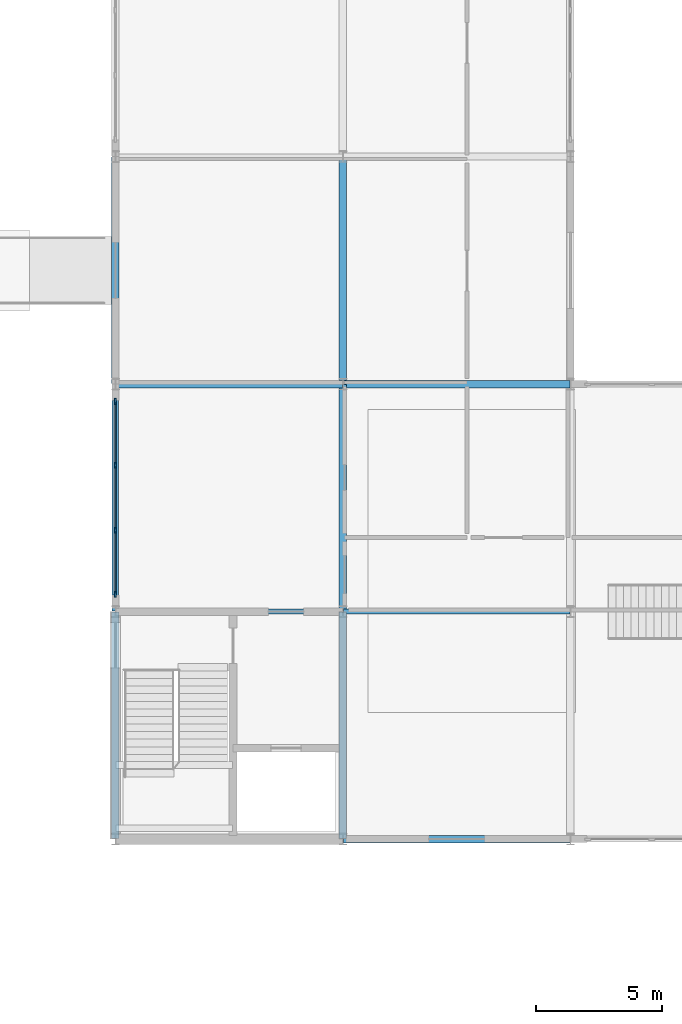
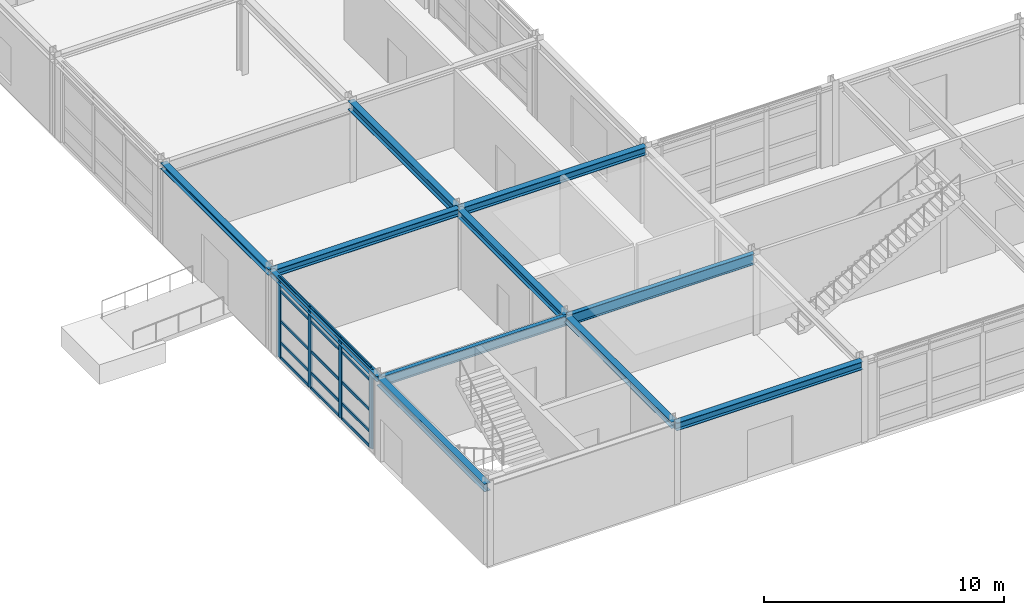
# One storey, part 25 of 72: 19 members, 11 beams, 1 element without a shape of its own.
"""IFC4 building model written with IfcOpenShell, lengths in metres."""

from ifc_helpers import new_model, si_unit, direction, frame, origin, origin_2d, place, context, subcontext, project, spatial, rectangle, i_section, extrude, material, material_profile, profile_set, type_object, element, aggregate, save


model = new_model("IFC4")

# Units and contexts
model_context = context("Model", 3, precision=1e-05, world=origin(), true_north=direction((0.0, 1.0)))
body_context = subcontext(model_context, "Body", "Model", "MODEL_VIEW")
ifc_project = project(units=[si_unit("LENGTHUNIT", "METRE"), si_unit("AREAUNIT", "SQUARE_METRE"), si_unit("VOLUMEUNIT", "CUBIC_METRE"), si_unit("PLANEANGLEUNIT", "RADIAN"), si_unit("MASSUNIT", "GRAM", prefix="KILO")], contexts=[model_context])

# Site, building, storey
site_placement = place(None, origin())
site = spatial("IfcSite", under=ifc_project, at=site_placement, CompositionType="ELEMENT")
building_placement = place(site_placement, origin())
building = spatial("IfcBuilding", under=site, at=building_placement, Name="Palais des Congres Ocreval", CompositionType="ELEMENT")
storey_placement = place(building_placement, origin())
storey = spatial("IfcBuildingStorey", under=building, at=storey_placement, Name="L00", CompositionType="ELEMENT", Elevation=0.0)

# Beams
ifc_material_1 = material(Name="Steel S355", Category="steel")
ifc_material_profile_1 = material_profile(ifc_material_1, i_section(OverallWidth=0.199951171875, OverallDepth=0.5, WebThickness=0.01025390625, FlangeThickness=0.01611328125, at=origin_2d()), Name="IPE 500")
ifc_profile_set_1 = profile_set([ifc_material_profile_1], Name="Steel S355")
beam_type_1 = type_object("IfcBeamType", Name="Composite Beam IPE 500 Steel S355", PredefinedType="BEAM", material=ifc_profile_set_1)
beam_1_placement = place(storey_placement, frame((108.02001953125, 9.0, 3.804931640625), z_axis=(1.0, 0.0, 0.0), x_axis=(0.0, 1.0, 0.0)))
element("IfcBeam", 1, at=beam_1_placement, inside=storey, type_object=beam_type_1, Name="Beam B04 L00", PredefinedType="BEAM", context=body_context, shape_type="SweptSolid", body=[
    extrude(i_section(OverallWidth=0.199951171875, OverallDepth=0.5, WebThickness=0.01025390625, FlangeThickness=0.01611328125, at=origin_2d()), origin(), (0.0, 0.0, 1.0), 8.9599609375),
])
ifc_material_profile_2 = material_profile(ifc_material_1, i_section(OverallWidth=0.2099609375, OverallDepth=0.550048828125, WebThickness=0.010986328125, FlangeThickness=0.01708984375, at=origin_2d()), Name="IPE 550")
ifc_profile_set_2 = profile_set([ifc_material_profile_2], Name="Steel S355")
beam_type_2 = type_object("IfcBeamType", Name="Composite Beam IPE 550 Steel S355", PredefinedType="BEAM", material=ifc_profile_set_2)
beam_2_placement = place(storey_placement, frame((117.02001953125, 9.0, 3.780029296875), z_axis=(1.0, 0.0, 0.0), x_axis=(0.0, 1.0, 0.0)))
element("IfcBeam", 2, at=beam_2_placement, inside=storey, type_object=beam_type_2, Name="Beam B05 L00", PredefinedType="BEAM", context=body_context, shape_type="SweptSolid", body=[
    extrude(i_section(OverallWidth=0.2099609375, OverallDepth=0.550048828125, WebThickness=0.010986328125, FlangeThickness=0.01708984375, at=origin_2d()), origin(), (0.0, 0.0, 1.0), 8.9599609375),
])

# Curtain wall, members
ifc_material_2 = material(Name="Anodized bronze aluminium and low-E glass", Category="glass")
curtain_wall_type = type_object("IfcCurtainWallType", Name="Unitised Curtain Wall 7900x4060", PredefinedType="USERDEFINED", material=ifc_material_2)
curtain_wall_placement = place(storey_placement, origin())
curtain_wall = element("IfcCurtainWall", 3, at=curtain_wall_placement, inside=storey, type_object=curtain_wall_type, Name="Unitised Curtain Wall CW01 L00", ObjectType="UNITISED CURTAIN WALL", PredefinedType="USERDEFINED")
ifc_material_3 = material(Name="Anodized bronze aluminium", Category="aluminium")
ifc_material_profile_3 = material_profile(ifc_material_3, rectangle(XDim=0.074951171875, YDim=0.239990234375, at=origin_2d()), Name="ALU 75x240")
ifc_profile_set_3 = profile_set([ifc_material_profile_3], Name="Anodized bronze aluminium")
member_type_1 = type_object("IfcMemberType", Name="Curtain Wall Mullion ALU 75x240", PredefinedType="MULLION", material=ifc_profile_set_3)
member_1_placement = place(storey_placement, frame((108.0, 9.6875, 0.0), z_axis=(0.0, 0.0, 1.0), x_axis=(-1.0, 0.0, 0.0)))
member_1 = element("IfcMember", 4, at=member_1_placement, type_object=member_type_1, Name="Curtain Wall Mullion ML01", PredefinedType="MULLION", context=body_context, shape_type="SweptSolid", body=[
    extrude(rectangle(XDim=0.074951171875, YDim=0.239990234375, at=origin_2d()), origin(), (0.0, 0.0, 1.0), 4.054931640625),
])
member_2_placement = place(storey_placement, frame((108.0, 12.216796875, 0.0), z_axis=(0.0, 0.0, 1.0), x_axis=(-1.0, 0.0, 0.0)))
member_2 = element("IfcMember", 5, at=member_2_placement, type_object=member_type_1, Name="Curtain Wall Mullion ML01", PredefinedType="MULLION", context=body_context, shape_type="SweptSolid", body=[
    extrude(rectangle(XDim=0.074951171875, YDim=0.239990234375, at=origin_2d()), origin(), (0.0, 0.0, 1.0), 4.054931640625),
])
member_3_placement = place(storey_placement, frame((108.0, 14.783203125, 0.0), z_axis=(0.0, 0.0, 1.0), x_axis=(-1.0, 0.0, 0.0)))
member_3 = element("IfcMember", 6, at=member_3_placement, type_object=member_type_1, Name="Curtain Wall Mullion ML01", PredefinedType="MULLION", context=body_context, shape_type="SweptSolid", body=[
    extrude(rectangle(XDim=0.074951171875, YDim=0.239990234375, at=origin_2d()), origin(), (0.0, 0.0, 1.0), 4.054931640625),
])
member_4_placement = place(storey_placement, frame((108.0, 17.3125, 0.0), z_axis=(0.0, 0.0, 1.0), x_axis=(-1.0, 0.0, 0.0)))
member_4 = element("IfcMember", 7, at=member_4_placement, type_object=member_type_1, Name="Curtain Wall Mullion ML01", PredefinedType="MULLION", context=body_context, shape_type="SweptSolid", body=[
    extrude(rectangle(XDim=0.074951171875, YDim=0.239990234375, at=origin_2d()), origin(), (0.0, 0.0, 1.0), 4.054931640625),
])
ifc_material_profile_4 = material_profile(ifc_material_3, rectangle(XDim=0.06005859375, YDim=0.14990234375, at=origin_2d()), Name="ALU 60x150")
ifc_profile_set_4 = profile_set([ifc_material_profile_4], Name="Anodized bronze aluminium")
member_type_2 = type_object("IfcMemberType", Name="Curtain Wall Transom ALU 60x150", PredefinedType="USERDEFINED", material=ifc_profile_set_4)
member_5_placement = place(storey_placement, frame((108.0, 9.72509765625, 0.030029296875), z_axis=(0.0, 1.0, 0.0), x_axis=(-1.0, 0.0, 0.0)))
member_5 = element("IfcMember", 8, at=member_5_placement, type_object=member_type_2, Name="Curtain Wall Transom TR01", ObjectType="TRANSOM", PredefinedType="USERDEFINED", context=body_context, shape_type="SweptSolid", body=[
    extrude(rectangle(XDim=0.06005859375, YDim=0.14990234375, at=origin_2d()), origin(), (0.0, 0.0, 1.0), 2.4541015625),
])
member_6_placement = place(storey_placement, frame((108.0, 9.72509765625, 0.780029296875), z_axis=(0.0, 1.0, 0.0), x_axis=(-1.0, 0.0, 0.0)))
member_6 = element("IfcMember", 9, at=member_6_placement, type_object=member_type_2, Name="Curtain Wall Transom TR01", ObjectType="TRANSOM", PredefinedType="USERDEFINED", context=body_context, shape_type="SweptSolid", body=[
    extrude(rectangle(XDim=0.06005859375, YDim=0.14990234375, at=origin_2d()), origin(), (0.0, 0.0, 1.0), 2.4541015625),
])
member_7_placement = place(storey_placement, frame((108.0, 9.72509765625, 1.872802734375), z_axis=(0.0, 1.0, 0.0), x_axis=(-1.0, 0.0, 0.0)))
member_7 = element("IfcMember", 10, at=member_7_placement, type_object=member_type_2, Name="Curtain Wall Transom TR01", ObjectType="TRANSOM", PredefinedType="USERDEFINED", context=body_context, shape_type="SweptSolid", body=[
    extrude(rectangle(XDim=0.06005859375, YDim=0.14990234375, at=origin_2d()), origin(), (0.0, 0.0, 1.0), 2.4541015625),
])
member_8_placement = place(storey_placement, frame((108.0, 9.72509765625, 3.405029296875), z_axis=(0.0, 1.0, 0.0), x_axis=(-1.0, 0.0, 0.0)))
member_8 = element("IfcMember", 11, at=member_8_placement, type_object=member_type_2, Name="Curtain Wall Transom TR01", ObjectType="TRANSOM", PredefinedType="USERDEFINED", context=body_context, shape_type="SweptSolid", body=[
    extrude(rectangle(XDim=0.06005859375, YDim=0.14990234375, at=origin_2d()), origin(), (0.0, 0.0, 1.0), 2.4541015625),
])
member_9_placement = place(storey_placement, frame((108.0, 9.72509765625, 4.02490234375), z_axis=(0.0, 1.0, 0.0), x_axis=(-1.0, 0.0, 0.0)))
member_9 = element("IfcMember", 12, at=member_9_placement, type_object=member_type_2, Name="Curtain Wall Transom TR01", ObjectType="TRANSOM", PredefinedType="USERDEFINED", context=body_context, shape_type="SweptSolid", body=[
    extrude(rectangle(XDim=0.06005859375, YDim=0.14990234375, at=origin_2d()), origin(), (0.0, 0.0, 1.0), 2.4541015625),
])
member_10_placement = place(storey_placement, frame((108.0, 12.254150390625, 0.030029296875), z_axis=(0.0, 1.0, 0.0), x_axis=(-1.0, 0.0, 0.0)))
member_10 = element("IfcMember", 13, at=member_10_placement, type_object=member_type_2, Name="Curtain Wall Transom TR01", ObjectType="TRANSOM", PredefinedType="USERDEFINED", context=body_context, shape_type="SweptSolid", body=[
    extrude(rectangle(XDim=0.06005859375, YDim=0.14990234375, at=origin_2d()), origin(), (0.0, 0.0, 1.0), 2.49169921875),
])
member_11_placement = place(storey_placement, frame((108.0, 12.254150390625, 0.780029296875), z_axis=(0.0, 1.0, 0.0), x_axis=(-1.0, 0.0, 0.0)))
member_11 = element("IfcMember", 14, at=member_11_placement, type_object=member_type_2, Name="Curtain Wall Transom TR01", ObjectType="TRANSOM", PredefinedType="USERDEFINED", context=body_context, shape_type="SweptSolid", body=[
    extrude(rectangle(XDim=0.06005859375, YDim=0.14990234375, at=origin_2d()), origin(), (0.0, 0.0, 1.0), 2.49169921875),
])
member_12_placement = place(storey_placement, frame((108.0, 12.254150390625, 1.872802734375), z_axis=(0.0, 1.0, 0.0), x_axis=(-1.0, 0.0, 0.0)))
member_12 = element("IfcMember", 15, at=member_12_placement, type_object=member_type_2, Name="Curtain Wall Transom TR01", ObjectType="TRANSOM", PredefinedType="USERDEFINED", context=body_context, shape_type="SweptSolid", body=[
    extrude(rectangle(XDim=0.06005859375, YDim=0.14990234375, at=origin_2d()), origin(), (0.0, 0.0, 1.0), 2.49169921875),
])
member_13_placement = place(storey_placement, frame((108.0, 12.254150390625, 3.405029296875), z_axis=(0.0, 1.0, 0.0), x_axis=(-1.0, 0.0, 0.0)))
member_13 = element("IfcMember", 16, at=member_13_placement, type_object=member_type_2, Name="Curtain Wall Transom TR01", ObjectType="TRANSOM", PredefinedType="USERDEFINED", context=body_context, shape_type="SweptSolid", body=[
    extrude(rectangle(XDim=0.06005859375, YDim=0.14990234375, at=origin_2d()), origin(), (0.0, 0.0, 1.0), 2.49169921875),
])
member_14_placement = place(storey_placement, frame((108.0, 12.254150390625, 4.02490234375), z_axis=(0.0, 1.0, 0.0), x_axis=(-1.0, 0.0, 0.0)))
member_14 = element("IfcMember", 17, at=member_14_placement, type_object=member_type_2, Name="Curtain Wall Transom TR01", ObjectType="TRANSOM", PredefinedType="USERDEFINED", context=body_context, shape_type="SweptSolid", body=[
    extrude(rectangle(XDim=0.06005859375, YDim=0.14990234375, at=origin_2d()), origin(), (0.0, 0.0, 1.0), 2.49169921875),
])
member_15_placement = place(storey_placement, frame((108.0, 14.82080078125, 0.030029296875), z_axis=(0.0, 1.0, 0.0), x_axis=(-1.0, 0.0, 0.0)))
member_15 = element("IfcMember", 18, at=member_15_placement, type_object=member_type_2, Name="Curtain Wall Transom TR01", ObjectType="TRANSOM", PredefinedType="USERDEFINED", context=body_context, shape_type="SweptSolid", body=[
    extrude(rectangle(XDim=0.06005859375, YDim=0.14990234375, at=origin_2d()), origin(), (0.0, 0.0, 1.0), 2.4541015625),
])
member_16_placement = place(storey_placement, frame((108.0, 14.82080078125, 0.780029296875), z_axis=(0.0, 1.0, 0.0), x_axis=(-1.0, 0.0, 0.0)))
member_16 = element("IfcMember", 19, at=member_16_placement, type_object=member_type_2, Name="Curtain Wall Transom TR01", ObjectType="TRANSOM", PredefinedType="USERDEFINED", context=body_context, shape_type="SweptSolid", body=[
    extrude(rectangle(XDim=0.06005859375, YDim=0.14990234375, at=origin_2d()), origin(), (0.0, 0.0, 1.0), 2.4541015625),
])
member_17_placement = place(storey_placement, frame((108.0, 14.82080078125, 1.872802734375), z_axis=(0.0, 1.0, 0.0), x_axis=(-1.0, 0.0, 0.0)))
member_17 = element("IfcMember", 20, at=member_17_placement, type_object=member_type_2, Name="Curtain Wall Transom TR01", ObjectType="TRANSOM", PredefinedType="USERDEFINED", context=body_context, shape_type="SweptSolid", body=[
    extrude(rectangle(XDim=0.06005859375, YDim=0.14990234375, at=origin_2d()), origin(), (0.0, 0.0, 1.0), 2.4541015625),
])
member_18_placement = place(storey_placement, frame((108.0, 14.82080078125, 3.405029296875), z_axis=(0.0, 1.0, 0.0), x_axis=(-1.0, 0.0, 0.0)))
member_18 = element("IfcMember", 21, at=member_18_placement, type_object=member_type_2, Name="Curtain Wall Transom TR01", ObjectType="TRANSOM", PredefinedType="USERDEFINED", context=body_context, shape_type="SweptSolid", body=[
    extrude(rectangle(XDim=0.06005859375, YDim=0.14990234375, at=origin_2d()), origin(), (0.0, 0.0, 1.0), 2.4541015625),
])
member_19_placement = place(storey_placement, frame((108.0, 14.82080078125, 4.02490234375), z_axis=(0.0, 1.0, 0.0), x_axis=(-1.0, 0.0, 0.0)))
member_19 = element("IfcMember", 22, at=member_19_placement, type_object=member_type_2, Name="Curtain Wall Transom TR01", ObjectType="TRANSOM", PredefinedType="USERDEFINED", context=body_context, shape_type="SweptSolid", body=[
    extrude(rectangle(XDim=0.06005859375, YDim=0.14990234375, at=origin_2d()), origin(), (0.0, 0.0, 1.0), 2.4541015625),
])
aggregate(curtain_wall, [member_1, member_2, member_3, member_4, member_5, member_6, member_7, member_8, member_9, member_10, member_11, member_12, member_13, member_14, member_15, member_16, member_17, member_18, member_19])

# Beams
ifc_material_profile_5 = material_profile(ifc_material_1, i_section(OverallWidth=0.260009765625, OverallDepth=0.260009765625, WebThickness=0.010009765625, FlangeThickness=0.017578125, at=origin_2d()), Name="HEB 260")
ifc_profile_set_5 = profile_set([ifc_material_profile_5], Name="Steel S355")
beam_type_3 = type_object("IfcBeamType", Name="Opening Lintel HEB 260 Steel S355", PredefinedType="LINTEL", material=ifc_profile_set_5)
beam_3_placement = place(storey_placement, frame((108.0, 9.02001953125, 3.925048828125), z_axis=(0.0, 1.0, 0.0), x_axis=(-1.0, 0.0, 0.0)))
element("IfcBeam", 23, at=beam_3_placement, inside=storey, type_object=beam_type_3, Name="Girder LN01 L00", PredefinedType="LINTEL", context=body_context, shape_type="SweptSolid", body=[
    extrude(i_section(OverallWidth=0.260009765625, OverallDepth=0.260009765625, WebThickness=0.010009765625, FlangeThickness=0.017578125, at=origin_2d()), origin(), (0.0, 0.0, 1.0), 8.9599609375),
])
ifc_material_profile_6 = material_profile(ifc_material_1, i_section(OverallWidth=0.300048828125, OverallDepth=0.300048828125, WebThickness=0.010986328125, FlangeThickness=0.01904296875, at=origin_2d()), Name="HEB 300")
ifc_profile_set_6 = profile_set([ifc_material_profile_6], Name="Steel S355")
beam_type_4 = type_object("IfcBeamType", Name="Perimeter Spandrel HEB 300 Steel S355", PredefinedType="SPANDREL", material=ifc_profile_set_6)
beam_4_placement = place(storey_placement, frame((108.0, 18.02001953125, 3.905029296875), z_axis=(0.0, 1.0, 0.0), x_axis=(-1.0, 0.0, 0.0)))
element("IfcBeam", 24, at=beam_4_placement, inside=storey, type_object=beam_type_4, Name="Girder SP02 L00", PredefinedType="SPANDREL", context=body_context, shape_type="SweptSolid", body=[
    extrude(i_section(OverallWidth=0.300048828125, OverallDepth=0.300048828125, WebThickness=0.010986328125, FlangeThickness=0.01904296875, at=origin_2d()), origin(), (0.0, 0.0, 1.0), 8.9599609375),
])
ifc_material_profile_7 = material_profile(ifc_material_1, i_section(OverallWidth=0.300048828125, OverallDepth=0.360107421875, WebThickness=0.012451171875, FlangeThickness=0.0224609375, at=origin_2d()), Name="HEB 360")
ifc_profile_set_7 = profile_set([ifc_material_profile_7], Name="Steel S355")
beam_type_5 = type_object("IfcBeamType", Name="Perimeter Spandrel HEB 360 Steel S355", PredefinedType="SPANDREL", material=ifc_profile_set_7)
beam_5_placement = place(storey_placement, frame((108.02001953125, 18.0, 3.875), z_axis=(1.0, 0.0, 0.0), x_axis=(0.0, 1.0, 0.0)))
element("IfcBeam", 25, at=beam_5_placement, inside=storey, type_object=beam_type_5, Name="Beam SP03 L00", PredefinedType="SPANDREL", context=body_context, shape_type="SweptSolid", body=[
    extrude(i_section(OverallWidth=0.300048828125, OverallDepth=0.360107421875, WebThickness=0.012451171875, FlangeThickness=0.0224609375, at=origin_2d()), origin(), (0.0, 0.0, 1.0), 8.9599609375),
])
ifc_material_profile_8 = material_profile(ifc_material_1, i_section(OverallWidth=0.300048828125, OverallDepth=0.39990234375, WebThickness=0.013427734375, FlangeThickness=0.02392578125, at=origin_2d()), Name="HEB 400")
ifc_profile_set_8 = profile_set([ifc_material_profile_8], Name="Steel S355")
beam_type_6 = type_object("IfcBeamType", Name="Perimeter Spandrel HEB 400 Steel S355", PredefinedType="SPANDREL", material=ifc_profile_set_8)
for number, where, z_axis, x_axis, name in (
    (26, (108.0, 0.02001953125, 3.85498046875), (0.0, 1.0, 0.0), (-1.0, 0.0, 0.0), "Girder SP04 L00"),
    (27, (117.02001953125, 0.0, 3.85498046875), (1.0, 0.0, 0.0), (0.0, 1.0, 0.0), "Beam SP04 L00"),
    (28, (117.02001953125, 18.0, 3.85498046875), (1.0, 0.0, 0.0), (0.0, 1.0, 0.0), "Beam SP04 L00"),
):
    element("IfcBeam", number, at=place(storey_placement, frame(where, z_axis=z_axis, x_axis=x_axis)), inside=storey, type_object=beam_type_6, Name=name, PredefinedType="SPANDREL", context=body_context, shape_type="SweptSolid", body=[
        extrude(i_section(OverallWidth=0.300048828125, OverallDepth=0.39990234375, WebThickness=0.013427734375, FlangeThickness=0.02392578125, at=origin_2d()), origin(), (0.0, 0.0, 1.0), 8.9599609375),
    ])
ifc_material_profile_9 = material_profile(ifc_material_1, i_section(OverallWidth=0.300048828125, OverallDepth=0.330078125, WebThickness=0.009521484375, FlangeThickness=0.0166015625, at=origin_2d()), Name="HEA 340")
ifc_profile_set_9 = profile_set([ifc_material_profile_9], Name="Steel S355")
beam_type_7 = type_object("IfcBeamType", Name="Primary Beam HEA 340 Steel S355", PredefinedType="BEAM", material=ifc_profile_set_9)
beam_6_placement = place(storey_placement, frame((117.0, 0.02001953125, 3.889892578125), z_axis=(0.0, 1.0, 0.0), x_axis=(-1.0, 0.0, 0.0)))
element("IfcBeam", 29, at=beam_6_placement, inside=storey, type_object=beam_type_7, Name="Girder B09 L00", PredefinedType="BEAM", context=body_context, shape_type="SweptSolid", body=[
    extrude(i_section(OverallWidth=0.300048828125, OverallDepth=0.330078125, WebThickness=0.009521484375, FlangeThickness=0.0166015625, at=origin_2d()), origin(), (0.0, 0.0, 1.0), 8.9599609375),
])
ifc_material_profile_10 = material_profile(ifc_material_1, i_section(OverallWidth=0.300048828125, OverallDepth=0.389892578125, WebThickness=0.010986328125, FlangeThickness=0.01904296875, at=origin_2d()), Name="HEA 400")
ifc_profile_set_10 = profile_set([ifc_material_profile_10], Name="Steel S355")
beam_type_8 = type_object("IfcBeamType", Name="Primary Beam HEA 400 Steel S355", PredefinedType="BEAM", material=ifc_profile_set_10)
beam_7_placement = place(storey_placement, frame((117.0, 9.02001953125, 3.860107421875), z_axis=(0.0, 1.0, 0.0), x_axis=(-1.0, 0.0, 0.0)))
element("IfcBeam", 30, at=beam_7_placement, inside=storey, type_object=beam_type_8, Name="Girder B10 L00", PredefinedType="BEAM", context=body_context, shape_type="SweptSolid", body=[
    extrude(i_section(OverallWidth=0.300048828125, OverallDepth=0.389892578125, WebThickness=0.010986328125, FlangeThickness=0.01904296875, at=origin_2d()), origin(), (0.0, 0.0, 1.0), 8.9599609375),
])
ifc_material_profile_11 = material_profile(ifc_material_1, i_section(OverallWidth=0.300048828125, OverallDepth=0.43994140625, WebThickness=0.011474609375, FlangeThickness=0.02099609375, at=origin_2d()), Name="HEA 450")
ifc_profile_set_11 = profile_set([ifc_material_profile_11], Name="Steel S355")
beam_type_9 = type_object("IfcBeamType", Name="Primary Beam HEA 450 Steel S355", PredefinedType="BEAM", material=ifc_profile_set_11)
beam_8_placement = place(storey_placement, frame((117.0, 18.02001953125, 3.8349609375), z_axis=(0.0, 1.0, 0.0), x_axis=(-1.0, 0.0, 0.0)))
element("IfcBeam", 31, at=beam_8_placement, inside=storey, type_object=beam_type_9, Name="Girder B11 L00", PredefinedType="BEAM", context=body_context, shape_type="SweptSolid", body=[
    extrude(i_section(OverallWidth=0.300048828125, OverallDepth=0.43994140625, WebThickness=0.011474609375, FlangeThickness=0.02099609375, at=origin_2d()), origin(), (0.0, 0.0, 1.0), 8.9599609375),
])

save(model, "model.ifc")
